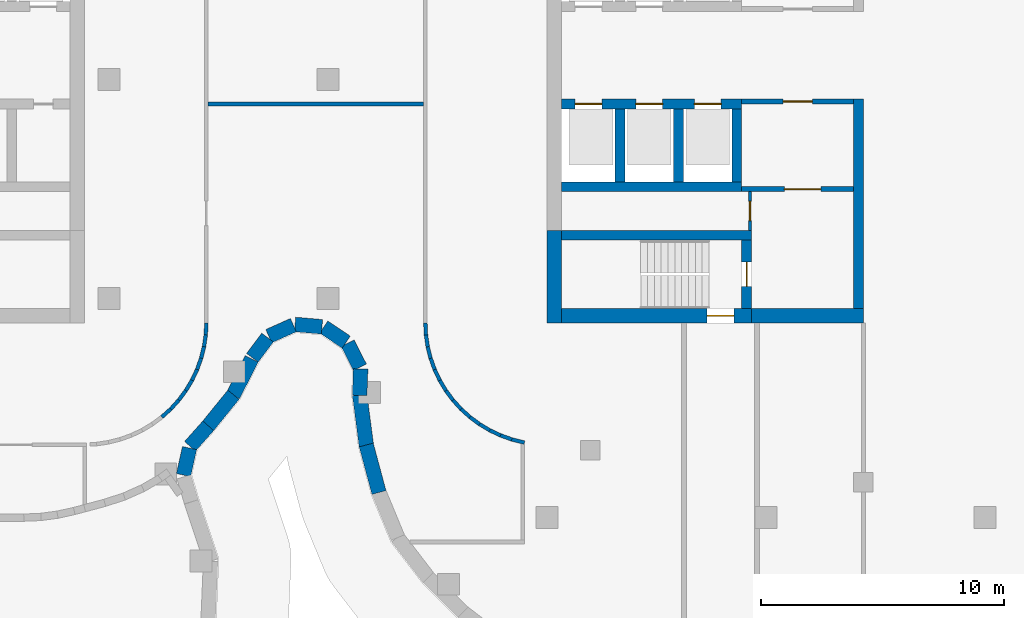
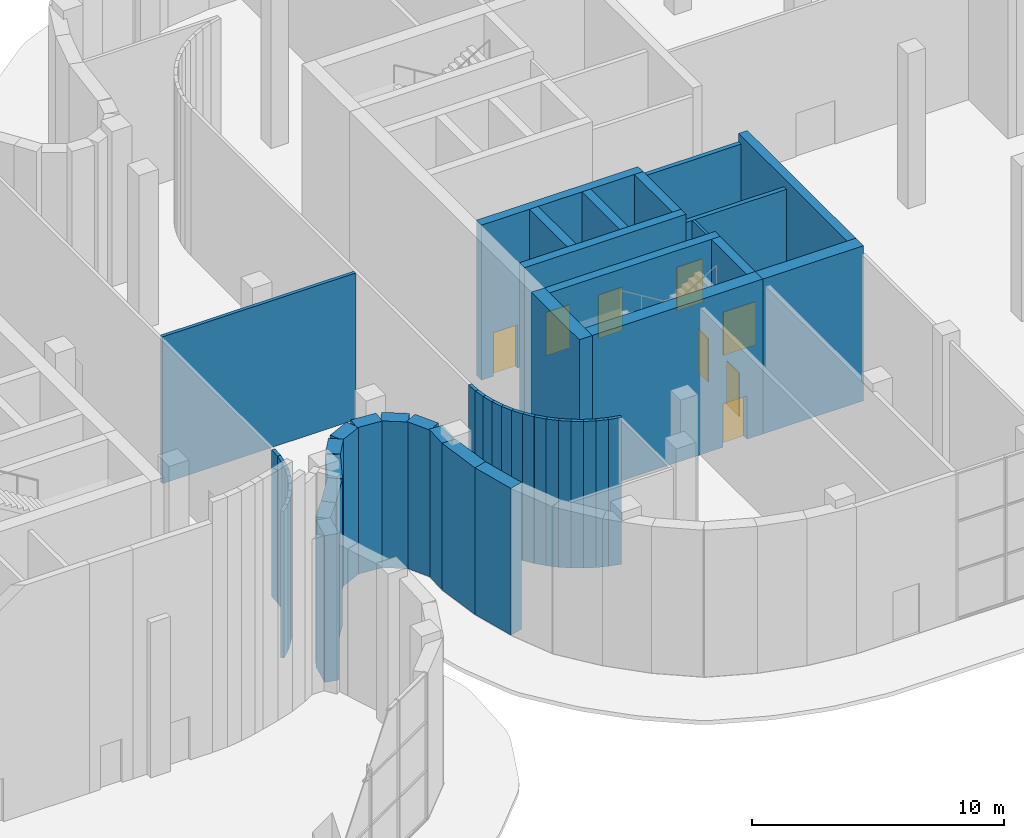
# One storey, part 19 of 30: 50 walls, 8 doors, 8 openings.
"""IFC4 building model written with IfcOpenShell, lengths in metres."""

from ifc_helpers import new_model, si_unit, direction, frame, frame_2d, origin, place, context, subcontext, project, spatial, rectangle, extrude, material, layer, layer_set, type_object, element, fill, save


model = new_model("IFC4")

# Units and contexts
model_context = context("Model", 3, precision=1e-05, world=origin(), true_north=direction((0.0, 1.0)))
body_context = subcontext(model_context, "Body", "Model", "MODEL_VIEW")
ifc_project = project(units=[si_unit("LENGTHUNIT", "METRE"), si_unit("AREAUNIT", "SQUARE_METRE"), si_unit("VOLUMEUNIT", "CUBIC_METRE"), si_unit("PLANEANGLEUNIT", "RADIAN"), si_unit("MASSUNIT", "GRAM", prefix="KILO")], contexts=[model_context])

# Site, building, storey
site_placement = place(None, origin())
site = spatial("IfcSite", under=ifc_project, at=site_placement, CompositionType="ELEMENT")
building_placement = place(site_placement, origin())
building = spatial("IfcBuilding", under=site, at=building_placement, Name="Skarvind Civic Tower", CompositionType="ELEMENT")
storey_placement = place(building_placement, origin())
storey = spatial("IfcBuildingStorey", under=building, at=storey_placement, Name="L00", CompositionType="ELEMENT", Elevation=0.0)

# Wall, opening, door
ifc_material_1 = material(Name="Fire-rated masonry partition", Category="masonry")
ifc_layer_1 = layer(ifc_material_1, 0.199951171875)
ifc_layer_set_1 = layer_set([ifc_layer_1], Name="Core enclosure wall 200")
wall_type_1 = type_object("IfcWallType", Name="Core enclosure wall 200", PredefinedType="PARTITIONING", material=ifc_layer_set_1)
wall_1_placement = place(storey_placement, frame((139.60009765625, 126.10009765625, 0.0), z_axis=(0.0, 0.0, 1.0), x_axis=(-1.0, 0.0, 0.0)))
wall_1 = element("IfcWall", 1, at=wall_1_placement, inside=storey, type_object=wall_type_1, Name="Core wall CA", PredefinedType="PARTITIONING", context=body_context, shape_type="SweptSolid", body=[
    extrude(rectangle(XDim=4.60009765625, YDim=0.199951171875, at=frame_2d((2.300048828125, 0.0))), origin(), (0.0, 0.0, 1.0), 7.10009765625),
])
opening_1_placement = place(wall_1_placement, frame((1.699951171875, 0.0, 0.0)))
opening_1 = element("IfcOpeningElement", 2, at=opening_1_placement, cuts=wall_1, Name="Opening D-L00-CA-10", PredefinedType="OPENING", context=body_context, shape_type="SweptSolid", body=[
    extrude(rectangle(XDim=1.199951171875, YDim=2.10009765625, at=frame_2d((0.60009765625, 1.050048828125))), frame((0.0, 0.10986328125, 0.0), z_axis=(0.0, -1.0, 0.0), x_axis=(1.0, 0.0, 0.0)), (0.0, 0.0, 1.0), 0.219970703125),
])
ifc_material_2 = material(Name="Fire-rated steel door", Category="steel")
door_type_1 = type_object("IfcDoorType", Name="Core lobby door 1200", OperationType="NOTDEFINED", PredefinedType="DOOR", material=ifc_material_2)
door_1_placement = place(opening_1_placement, origin())
door_1 = element("IfcDoor", 3, at=door_1_placement, inside=storey, type_object=door_type_1, Name="Fire door", OperationType="DOUBLE_DOOR_SINGLE_SWING", OverallHeight=2.10009765625, OverallWidth=1.199951171875, PredefinedType="DOOR", context=body_context, shape_type="SweptSolid", body=[
    extrude(rectangle(XDim=1.199951171875, YDim=2.10009765625, at=frame_2d((0.60009765625, 1.050048828125))), frame((0.0, 0.02490234375, 0.0), z_axis=(0.0, -1.0, 0.0), x_axis=(1.0, 0.0, 0.0)), (0.0, 0.0, 1.0), 0.050048828125),
])
fill(opening_1, door_1)

wall_2_placement = place(storey_placement, frame((139.60009765625, 122.5, 0.0), z_axis=(0.0, 0.0, 1.0), x_axis=(-1.0, 0.0, 0.0)))
wall_2 = element("IfcWall", 4, at=wall_2_placement, inside=storey, type_object=wall_type_1, Name="Core wall CA", PredefinedType="PARTITIONING", context=body_context, shape_type="SweptSolid", body=[
    extrude(rectangle(XDim=4.60009765625, YDim=0.199951171875, at=frame_2d((2.300048828125, 0.0))), origin(), (0.0, 0.0, 1.0), 7.10009765625),
])
opening_2_placement = place(wall_2_placement, frame((1.35009765625, 0.0, 0.0)))
opening_2 = element("IfcOpeningElement", 5, at=opening_2_placement, cuts=wall_2, Name="Opening D-L00-CA-11", PredefinedType="OPENING", context=body_context, shape_type="SweptSolid", body=[
    extrude(rectangle(XDim=1.5, YDim=2.10009765625, at=frame_2d((0.75, 1.050048828125))), frame((0.0, 0.10986328125, 0.0), z_axis=(0.0, -1.0, 0.0), x_axis=(1.0, 0.0, 0.0)), (0.0, 0.0, 1.0), 0.219970703125),
])
door_type_2 = type_object("IfcDoorType", Name="Fire door 1500", OperationType="NOTDEFINED", PredefinedType="DOOR", material=ifc_material_2)
door_2_placement = place(opening_2_placement, origin())
door_2 = element("IfcDoor", 6, at=door_2_placement, inside=storey, type_object=door_type_2, Name="Fire door", OperationType="DOUBLE_DOOR_SINGLE_SWING", OverallHeight=2.10009765625, OverallWidth=1.5, PredefinedType="DOOR", context=body_context, shape_type="SweptSolid", body=[
    extrude(rectangle(XDim=1.5, YDim=2.10009765625, at=frame_2d((0.75, 1.050048828125))), frame((0.0, 0.02490234375, 0.0), z_axis=(0.0, -1.0, 0.0), x_axis=(1.0, 0.0, 0.0)), (0.0, 0.0, 1.0), 0.050048828125),
])
fill(opening_2, door_2)

# Wall
ifc_material_3 = material(Name="Concrete C80", Category="concrete")
ifc_layer_2 = layer(ifc_material_3, 0.39990234375)
ifc_layer_set_2 = layer_set([ifc_layer_2], Name="Core wall 400 C80")
wall_type_2 = type_object("IfcWallType", Name="Core wall 400 C80", PredefinedType="SHEAR", material=ifc_layer_set_2)
wall_3_placement = place(storey_placement, frame((127.60009765625, 120.60009765625, 0.0), z_axis=(0.0, 0.0, 1.0), x_axis=(1.0, 0.0, 0.0)))
element("IfcWall", 7, at=wall_3_placement, inside=storey, type_object=wall_type_2, Name="Core wall CA south stair inner L00", PredefinedType="SHEAR", context=body_context, shape_type="SweptSolid", body=[
    extrude(rectangle(XDim=7.7998046875, YDim=0.39990234375, at=frame_2d((3.89990234375, 0.0))), origin(), (0.0, 0.0, 1.0), 7.5),
])

# Wall, opening, door
wall_4_placement = place(storey_placement, frame((135.199951171875, 117.60009765625, 0.0), z_axis=(0.0, 0.0, 1.0), x_axis=(0.0, 1.0, 0.0)))
wall_4 = element("IfcWall", 8, at=wall_4_placement, inside=storey, type_object=wall_type_2, Name="Core wall CA south stair end L00", PredefinedType="SHEAR", context=body_context, shape_type="SweptSolid", body=[
    extrude(rectangle(XDim=2.7998046875, YDim=0.39990234375, at=frame_2d((1.39990234375, 0.0))), origin(), (0.0, 0.0, 1.0), 7.5),
])
opening_3_placement = place(wall_4_placement, frame((0.89990234375, 0.0, 0.0)))
opening_3 = element("IfcOpeningElement", 9, at=opening_3_placement, cuts=wall_4, Name="Opening D-L00-CA-12", PredefinedType="OPENING", context=body_context, shape_type="SweptSolid", body=[
    extrude(rectangle(XDim=1.0, YDim=2.10009765625, at=frame_2d((0.5, 1.050048828125))), frame((0.0, 0.2099609375, 0.0), z_axis=(0.0, -1.0, 0.0), x_axis=(1.0, 0.0, 0.0)), (0.0, 0.0, 1.0), 0.419921875),
])
door_type_3 = type_object("IfcDoorType", Name="Fire door 1000", OperationType="NOTDEFINED", PredefinedType="DOOR", material=ifc_material_2)
door_3_placement = place(opening_3_placement, origin())
door_3 = element("IfcDoor", 10, at=door_3_placement, inside=storey, type_object=door_type_3, Name="Fire door", OperationType="SINGLE_SWING_RIGHT", OverallHeight=2.10009765625, OverallWidth=1.0, PredefinedType="DOOR", context=body_context, shape_type="SweptSolid", body=[
    extrude(rectangle(XDim=1.0, YDim=2.10009765625, at=frame_2d((0.5, 1.050048828125))), frame((0.0, 0.02490234375, 0.0), z_axis=(0.0, -1.0, 0.0), x_axis=(1.0, 0.0, 0.0)), (0.0, 0.0, 1.0), 0.050048828125),
])
fill(opening_3, door_3)

# Wall, openings, doors
wall_5_placement = place(storey_placement, frame((127.60009765625, 126.0, 0.0), z_axis=(0.0, 0.0, 1.0), x_axis=(1.0, 0.0, 0.0)))
wall_5 = element("IfcWall", 11, at=wall_5_placement, inside=storey, type_object=wall_type_2, Name="Core wall CA south lift row front L00", PredefinedType="SHEAR", context=body_context, shape_type="SweptSolid", body=[
    extrude(rectangle(XDim=7.39990234375, YDim=0.39990234375, at=frame_2d((3.699951171875, 0.0))), origin(), (0.0, 0.0, 1.0), 7.5),
])
opening_4_placement = place(wall_5_placement, frame((0.550048828125, 0.0, 0.0)))
opening_4 = element("IfcOpeningElement", 12, at=opening_4_placement, cuts=wall_5, Name="Opening LD02304", PredefinedType="OPENING", context=body_context, shape_type="SweptSolid", body=[
    extrude(rectangle(XDim=1.10009765625, YDim=2.10009765625, at=frame_2d((0.550048828125, 1.050048828125))), frame((0.0, 0.2099609375, 0.0), z_axis=(0.0, -1.0, 0.0), x_axis=(1.0, 0.0, 0.0)), (0.0, 0.0, 1.0), 0.419921875),
])
opening_5_placement = place(wall_5_placement, frame((3.050048828125, 0.0, 0.0)))
opening_5 = element("IfcOpeningElement", 13, at=opening_5_placement, cuts=wall_5, Name="Opening LD02305", PredefinedType="OPENING", context=body_context, shape_type="SweptSolid", body=[
    extrude(rectangle(XDim=1.10009765625, YDim=2.10009765625, at=frame_2d((0.550048828125, 1.050048828125))), frame((0.0, 0.2099609375, 0.0), z_axis=(0.0, -1.0, 0.0), x_axis=(1.0, 0.0, 0.0)), (0.0, 0.0, 1.0), 0.419921875),
])
opening_6_placement = place(wall_5_placement, frame((5.449951171875, 0.0, 0.0)))
opening_6 = element("IfcOpeningElement", 14, at=opening_6_placement, cuts=wall_5, Name="Opening LD02306", PredefinedType="OPENING", context=body_context, shape_type="SweptSolid", body=[
    extrude(rectangle(XDim=1.10009765625, YDim=2.10009765625, at=frame_2d((0.550048828125, 1.050048828125))), frame((0.0, 0.2099609375, 0.0), z_axis=(0.0, -1.0, 0.0), x_axis=(1.0, 0.0, 0.0)), (0.0, 0.0, 1.0), 0.419921875),
])
ifc_material_4 = material(Name="Stainless steel landing door", Category="steel")
door_type_4 = type_object("IfcDoorType", Name="Lift landing door 1100", OperationType="DOUBLE_DOOR_SLIDING", PredefinedType="DOOR", material=ifc_material_4)
door_4_placement = place(opening_4_placement, origin())
door_4 = element("IfcDoor", 15, at=door_4_placement, inside=storey, type_object=door_type_4, Name="Lift landing door", OperationType="DOUBLE_DOOR_SLIDING", OverallHeight=2.10009765625, OverallWidth=1.10009765625, PredefinedType="DOOR", context=body_context, shape_type="SweptSolid", body=[
    extrude(rectangle(XDim=1.10009765625, YDim=2.10009765625, at=frame_2d((0.550048828125, 1.050048828125))), frame((0.0, 0.02490234375, 0.0), z_axis=(0.0, -1.0, 0.0), x_axis=(1.0, 0.0, 0.0)), (0.0, 0.0, 1.0), 0.050048828125),
])
fill(opening_4, door_4)
door_5_placement = place(opening_5_placement, origin())
door_5 = element("IfcDoor", 16, at=door_5_placement, inside=storey, type_object=door_type_4, Name="Lift landing door", OperationType="DOUBLE_DOOR_SLIDING", OverallHeight=2.10009765625, OverallWidth=1.10009765625, PredefinedType="DOOR", context=body_context, shape_type="SweptSolid", body=[
    extrude(rectangle(XDim=1.10009765625, YDim=2.10009765625, at=frame_2d((0.550048828125, 1.050048828125))), frame((0.0, 0.02490234375, 0.0), z_axis=(0.0, -1.0, 0.0), x_axis=(1.0, 0.0, 0.0)), (0.0, 0.0, 1.0), 0.050048828125),
])
fill(opening_5, door_5)
door_6_placement = place(opening_6_placement, origin())
door_6 = element("IfcDoor", 17, at=door_6_placement, inside=storey, type_object=door_type_4, Name="Lift landing door", OperationType="DOUBLE_DOOR_SLIDING", OverallHeight=2.10009765625, OverallWidth=1.10009765625, PredefinedType="DOOR", context=body_context, shape_type="SweptSolid", body=[
    extrude(rectangle(XDim=1.10009765625, YDim=2.10009765625, at=frame_2d((0.550048828125, 1.050048828125))), frame((0.0, 0.02490234375, 0.0), z_axis=(0.0, -1.0, 0.0), x_axis=(1.0, 0.0, 0.0)), (0.0, 0.0, 1.0), 0.050048828125),
])
fill(opening_6, door_6)

# Walls
wall_6_placement = place(storey_placement, frame((127.60009765625, 122.60009765625, 0.0), z_axis=(0.0, 0.0, 1.0), x_axis=(1.0, 0.0, 0.0)))
element("IfcWall", 18, at=wall_6_placement, inside=storey, type_object=wall_type_2, Name="Core wall CA south lift row back L00", PredefinedType="SHEAR", context=body_context, shape_type="SweptSolid", body=[
    extrude(rectangle(XDim=7.39990234375, YDim=0.39990234375, at=frame_2d((3.699951171875, 0.0))), origin(), (0.0, 0.0, 1.0), 7.5),
])
for number, where, z_axis, x_axis, name in (
    (19, (130.0, 122.800048828125, 0.0), (0.0, 0.0, 1.0), (0.0, 1.0, 0.0), "Core wall CA south lift row division 1 L00"),
    (20, (132.39990234375, 122.800048828125, 0.0), (0.0, 0.0, 1.0), (0.0, 1.0, 0.0), "Core wall CA south lift row division 2 L00"),
    (21, (134.800048828125, 122.800048828125, 0.0), (0.0, 0.0, 1.0), (0.0, 1.0, 0.0), "Core wall CA south lift row division 3 L00"),
):
    element("IfcWall", number, at=place(storey_placement, frame(where, z_axis=z_axis, x_axis=x_axis)), inside=storey, type_object=wall_type_2, Name=name, PredefinedType="SHEAR", context=body_context, shape_type="SweptSolid", body=[
        extrude(rectangle(XDim=3.0, YDim=0.39990234375, at=frame_2d((1.5, 0.0))), origin(), (0.0, 0.0, 1.0), 7.5),
    ])
wall_7_placement = place(storey_placement, frame((139.800048828125, 117.60009765625, 0.0), z_axis=(0.0, 0.0, 1.0), x_axis=(0.0, 1.0, 0.0)))
element("IfcWall", 22, at=wall_7_placement, inside=storey, type_object=wall_type_2, Name="Core wall CA south inner face L00", PredefinedType="SHEAR", context=body_context, shape_type="SweptSolid", body=[
    extrude(rectangle(XDim=8.599853515625, YDim=0.39990234375, at=frame_2d((4.2998046875, 0.0))), origin(), (0.0, 0.0, 1.0), 7.5),
])
ifc_layer_3 = layer(ifc_material_3, 0.60009765625)
ifc_layer_set_3 = layer_set([ifc_layer_3], Name="Core wall 600 C80")
wall_type_3 = type_object("IfcWallType", Name="Core wall 600 C80", PredefinedType="SHEAR", material=ifc_layer_set_3)
wall_8_placement = place(storey_placement, frame((127.300048828125, 117.0, 0.0), z_axis=(0.0, 0.0, 1.0), x_axis=(0.0, 1.0, 0.0)))
element("IfcWall", 23, at=wall_8_placement, inside=storey, type_object=wall_type_3, Name="Core wall CA tip at the south stair L00", PredefinedType="SHEAR", context=body_context, shape_type="SweptSolid", body=[
    extrude(rectangle(XDim=3.800048828125, YDim=0.60009765625, at=frame_2d((1.89990234375, 0.0))), origin(), (0.0, 0.0, 1.0), 7.5),
])

# Wall, opening, door
wall_9_placement = place(storey_placement, frame((127.60009765625, 117.300048828125, 0.0), z_axis=(0.0, 0.0, 1.0), x_axis=(1.0, 0.0, 0.0)))
wall_9 = element("IfcWall", 24, at=wall_9_placement, inside=storey, type_object=wall_type_3, Name="Core wall CA south side at the stair L00", PredefinedType="SHEAR", context=body_context, shape_type="SweptSolid", body=[
    extrude(rectangle(XDim=7.7998046875, YDim=0.60009765625, at=frame_2d((3.89990234375, 0.0))), origin(), (0.0, 0.0, 1.0), 7.5),
])
opening_7_placement = place(wall_9_placement, frame((5.97509765625, 0.0, 0.0)))
opening_7 = element("IfcOpeningElement", 25, at=opening_7_placement, cuts=wall_9, Name="Opening D-L00-CA-15", PredefinedType="OPENING", context=body_context, shape_type="SweptSolid", body=[
    extrude(rectangle(XDim=1.10009765625, YDim=2.10009765625, at=frame_2d((0.550048828125, 1.050048828125))), frame((0.0, 0.31005859375, 0.0), z_axis=(0.0, -1.0, 0.0), x_axis=(1.0, 0.0, 0.0)), (0.0, 0.0, 1.0), 0.6201171875),
])
door_type_5 = type_object("IfcDoorType", Name="Fire door 1100", OperationType="NOTDEFINED", PredefinedType="DOOR", material=ifc_material_2)
door_7_placement = place(opening_7_placement, origin())
door_7 = element("IfcDoor", 26, at=door_7_placement, inside=storey, type_object=door_type_5, Name="Stair exit door", OperationType="SINGLE_SWING_LEFT", OverallHeight=2.10009765625, OverallWidth=1.10009765625, PredefinedType="DOOR", context=body_context, shape_type="SweptSolid", body=[
    extrude(rectangle(XDim=1.10009765625, YDim=2.10009765625, at=frame_2d((0.550048828125, 1.050048828125))), frame((0.0, 0.02490234375, 0.0), z_axis=(0.0, -1.0, 0.0), x_axis=(1.0, 0.0, 0.0)), (0.0, 0.0, 1.0), 0.050048828125),
])
fill(opening_7, door_7)

# Walls
wall_10_placement = place(storey_placement, frame((135.39990234375, 117.300048828125, 0.0), z_axis=(0.0, 0.0, 1.0), x_axis=(1.0, 0.0, 0.0)))
element("IfcWall", 27, at=wall_10_placement, inside=storey, type_object=wall_type_3, Name="Core wall CA south side L00", PredefinedType="SHEAR", context=body_context, shape_type="SweptSolid", body=[
    extrude(rectangle(XDim=4.60009765625, YDim=0.60009765625, at=frame_2d((2.300048828125, 0.0))), origin(), (0.0, 0.0, 1.0), 7.5),
])
ifc_material_5 = material(Name="Plasterboard partition on steel studs", Category="steel")
ifc_layer_4 = layer(ifc_material_5, 0.14990234375)
ifc_layer_set_4 = layer_set([ifc_layer_4], Name="PARTITION 150")
wall_type_4 = type_object("IfcWallType", Name="PARTITION 150", PredefinedType="PARTITIONING", material=ifc_layer_set_4)
for number, where, z_axis, x_axis, name in (
    (28, (111.1689453125, 113.133056640625, 0.0), (0.0, 0.0, 1.0), (0.742416880587, 0.66993818776, 0.0), "Podium partition L00 149"),
    (29, (111.532958984375, 113.4609375, 0.0), (0.0, 0.0, 1.0), (0.66993818776, 0.742416880587, 0.0), "Podium partition L00 152"),
):
    element("IfcWall", number, at=place(storey_placement, frame(where, z_axis=z_axis, x_axis=x_axis)), inside=storey, type_object=wall_type_4, Name=name, PredefinedType="PARTITIONING", context=body_context, shape_type="SweptSolid", body=[
        extrude(rectangle(XDim=0.49853515625, YDim=0.14990234375, at=frame_2d((0.249267578125, 0.0))), origin(), (0.0, 0.0, 1.0), 7.10009765625),
    ])
wall_11_placement = place(storey_placement, frame((111.863037109375, 113.824951171875, 0.0), z_axis=(0.0, 0.0, 1.0), x_axis=(0.594570362092, 0.80404358372, 0.0)))
element("IfcWall", 30, at=wall_11_placement, inside=storey, type_object=wall_type_4, Name="Podium partition L00 154", PredefinedType="PARTITIONING", context=body_context, shape_type="SweptSolid", body=[
    extrude(rectangle(XDim=0.49755859375, YDim=0.14990234375, at=frame_2d((0.248779296875, 0.0))), origin(), (0.0, 0.0, 1.0), 7.10009765625),
])
wall_12_placement = place(storey_placement, frame((112.155029296875, 114.218994140625, 0.0), z_axis=(0.0, 0.0, 1.0), x_axis=(0.515791778052, 0.85671397893, 0.0)))
element("IfcWall", 31, at=wall_12_placement, inside=storey, type_object=wall_type_4, Name="Podium partition L00 156", PredefinedType="PARTITIONING", context=body_context, shape_type="SweptSolid", body=[
    extrude(rectangle(XDim=0.49853515625, YDim=0.14990234375, at=frame_2d((0.249267578125, 0.0))), origin(), (0.0, 0.0, 1.0), 7.10009765625),
])
for number, where, z_axis, x_axis, name in (
    (32, (112.407958984375, 114.639892578125, 0.0), (0.0, 0.0, 1.0), (0.427896709028, 0.903827641978, 0.0), "Podium partition L00 158"),
    (33, (112.617919921875, 115.083984375, 0.0), (0.0, 0.0, 1.0), (0.3371744988, 0.941442168887, 0.0), "Podium partition L00 160"),
):
    element("IfcWall", number, at=place(storey_placement, frame(where, z_axis=z_axis, x_axis=x_axis)), inside=storey, type_object=wall_type_4, Name=name, PredefinedType="PARTITIONING", context=body_context, shape_type="SweptSolid", body=[
        extrude(rectangle(XDim=0.498046875, YDim=0.14990234375, at=frame_2d((0.2490234375, 0.0))), origin(), (0.0, 0.0, 1.0), 7.10009765625),
    ])
wall_13_placement = place(storey_placement, frame((112.783935546875, 115.544921875, 0.0), z_axis=(0.0, 0.0, 1.0), x_axis=(0.242650732785, 0.970113715952, 0.0)))
element("IfcWall", 34, at=wall_13_placement, inside=storey, type_object=wall_type_4, Name="Podium partition L00 162", PredefinedType="PARTITIONING", context=body_context, shape_type="SweptSolid", body=[
    extrude(rectangle(XDim=0.4990234375, YDim=0.14990234375, at=frame_2d((0.24951171875, 0.0))), origin(), (0.0, 0.0, 1.0), 7.10009765625),
])
wall_14_placement = place(storey_placement, frame((112.903076171875, 116.02099609375, 0.0), z_axis=(0.0, 0.0, 1.0), x_axis=(0.148412307247, 0.988925572052, 0.0)))
element("IfcWall", 35, at=wall_14_placement, inside=storey, type_object=wall_type_4, Name="Podium partition L00 164", PredefinedType="PARTITIONING", context=body_context, shape_type="SweptSolid", body=[
    extrude(rectangle(XDim=0.49853515625, YDim=0.14990234375, at=frame_2d((0.249267578125, 0.0))), origin(), (0.0, 0.0, 1.0), 7.10009765625),
])
wall_15_placement = place(storey_placement, frame((112.97607421875, 116.506103515625, 0.0), z_axis=(0.0, 0.0, 1.0), x_axis=(0.048196018647, 0.998837896651, 0.0)))
element("IfcWall", 36, at=wall_15_placement, inside=storey, type_object=wall_type_4, Name="Podium partition L00 166", PredefinedType="PARTITIONING", context=body_context, shape_type="SweptSolid", body=[
    extrude(rectangle(XDim=0.496337890625, YDim=0.14990234375, at=frame_2d((0.248046875, 0.0))), origin(), (0.0, 0.0, 1.0), 7.10009765625),
])
wall_16_placement = place(storey_placement, frame((113.074951171875, 126.0, 0.0), z_axis=(0.0, 0.0, 1.0), x_axis=(1.0, 0.0, 0.0)))
element("IfcWall", 37, at=wall_16_placement, inside=storey, type_object=wall_type_4, Name="Podium partition L00 169", PredefinedType="PARTITIONING", context=body_context, shape_type="SweptSolid", body=[
    extrude(rectangle(XDim=8.85009765625, YDim=0.14990234375, at=frame_2d((4.425048828125, 0.0))), origin(), (0.0, 0.0, 1.0), 7.10009765625),
])
wall_17_placement = place(storey_placement, frame((122.0, 117.001953125, 0.0), z_axis=(0.0, 0.0, 1.0), x_axis=(0.048196018647, -0.998837896651, 0.0)))
element("IfcWall", 38, at=wall_17_placement, inside=storey, type_object=wall_type_4, Name="Podium partition L00 173", PredefinedType="PARTITIONING", context=body_context, shape_type="SweptSolid", body=[
    extrude(rectangle(XDim=0.496337890625, YDim=0.14990234375, at=frame_2d((0.248046875, 0.0))), origin(), (0.0, 0.0, 1.0), 7.10009765625),
])
wall_18_placement = place(storey_placement, frame((122.02294921875, 116.513916015625, 0.0), z_axis=(0.0, 0.0, 1.0), x_axis=(0.148412307247, -0.988925572052, 0.0)))
element("IfcWall", 39, at=wall_18_placement, inside=storey, type_object=wall_type_4, Name="Podium partition L00 175", PredefinedType="PARTITIONING", context=body_context, shape_type="SweptSolid", body=[
    extrude(rectangle(XDim=0.49853515625, YDim=0.14990234375, at=frame_2d((0.249267578125, 0.0))), origin(), (0.0, 0.0, 1.0), 7.10009765625),
])
wall_19_placement = place(storey_placement, frame((122.094970703125, 116.029052734375, 0.0), z_axis=(0.0, 0.0, 1.0), x_axis=(0.242650732785, -0.970113715952, 0.0)))
element("IfcWall", 40, at=wall_19_placement, inside=storey, type_object=wall_type_4, Name="Podium partition L00 177", PredefinedType="PARTITIONING", context=body_context, shape_type="SweptSolid", body=[
    extrude(rectangle(XDim=0.4990234375, YDim=0.14990234375, at=frame_2d((0.24951171875, 0.0))), origin(), (0.0, 0.0, 1.0), 7.10009765625),
])
for number, where, z_axis, x_axis, name in (
    (41, (122.214111328125, 115.552978515625, 0.0), (0.0, 0.0, 1.0), (0.3371744988, -0.941442168887, 0.0), "Podium partition L00 179"),
    (42, (122.37890625, 115.090087890625, 0.0), (0.0, 0.0, 1.0), (0.427896709028, -0.903827641978, 0.0), "Podium partition L00 181"),
):
    element("IfcWall", number, at=place(storey_placement, frame(where, z_axis=z_axis, x_axis=x_axis)), inside=storey, type_object=wall_type_4, Name=name, PredefinedType="PARTITIONING", context=body_context, shape_type="SweptSolid", body=[
        extrude(rectangle(XDim=0.498046875, YDim=0.14990234375, at=frame_2d((0.2490234375, 0.0))), origin(), (0.0, 0.0, 1.0), 7.10009765625),
    ])
wall_20_placement = place(storey_placement, frame((122.587890625, 114.64599609375, 0.0), z_axis=(0.0, 0.0, 1.0), x_axis=(0.515791778052, -0.85671397893, 0.0)))
element("IfcWall", 43, at=wall_20_placement, inside=storey, type_object=wall_type_4, Name="Podium partition L00 183", PredefinedType="PARTITIONING", context=body_context, shape_type="SweptSolid", body=[
    extrude(rectangle(XDim=0.49853515625, YDim=0.14990234375, at=frame_2d((0.249267578125, 0.0))), origin(), (0.0, 0.0, 1.0), 7.10009765625),
])
wall_21_placement = place(storey_placement, frame((122.841064453125, 114.22509765625, 0.0), z_axis=(0.0, 0.0, 1.0), x_axis=(0.594570362092, -0.80404358372, 0.0)))
element("IfcWall", 44, at=wall_21_placement, inside=storey, type_object=wall_type_4, Name="Podium partition L00 185", PredefinedType="PARTITIONING", context=body_context, shape_type="SweptSolid", body=[
    extrude(rectangle(XDim=0.49755859375, YDim=0.14990234375, at=frame_2d((0.248779296875, 0.0))), origin(), (0.0, 0.0, 1.0), 7.10009765625),
])
for number, where, z_axis, x_axis, name in (
    (45, (123.133056640625, 113.8310546875, 0.0), (0.0, 0.0, 1.0), (0.66993818776, -0.742416880587, 0.0), "Podium partition L00 187"),
    (46, (123.4609375, 113.467041015625, 0.0), (0.0, 0.0, 1.0), (0.742416880587, -0.66993818776, 0.0), "Podium partition L00 189"),
):
    element("IfcWall", number, at=place(storey_placement, frame(where, z_axis=z_axis, x_axis=x_axis)), inside=storey, type_object=wall_type_4, Name=name, PredefinedType="PARTITIONING", context=body_context, shape_type="SweptSolid", body=[
        extrude(rectangle(XDim=0.49853515625, YDim=0.14990234375, at=frame_2d((0.249267578125, 0.0))), origin(), (0.0, 0.0, 1.0), 7.10009765625),
    ])
wall_22_placement = place(storey_placement, frame((123.824951171875, 113.136962890625, 0.0), z_axis=(0.0, 0.0, 1.0), x_axis=(0.80404358372, -0.594570362092, 0.0)))
element("IfcWall", 47, at=wall_22_placement, inside=storey, type_object=wall_type_4, Name="Podium partition L00 191", PredefinedType="PARTITIONING", context=body_context, shape_type="SweptSolid", body=[
    extrude(rectangle(XDim=0.49755859375, YDim=0.14990234375, at=frame_2d((0.248779296875, 0.0))), origin(), (0.0, 0.0, 1.0), 7.10009765625),
])
wall_23_placement = place(storey_placement, frame((124.218994140625, 112.844970703125, 0.0), z_axis=(0.0, 0.0, 1.0), x_axis=(0.85671397893, -0.515791778052, 0.0)))
element("IfcWall", 48, at=wall_23_placement, inside=storey, type_object=wall_type_4, Name="Podium partition L00 193", PredefinedType="PARTITIONING", context=body_context, shape_type="SweptSolid", body=[
    extrude(rectangle(XDim=0.49853515625, YDim=0.14990234375, at=frame_2d((0.249267578125, 0.0))), origin(), (0.0, 0.0, 1.0), 7.10009765625),
])
for number, where, z_axis, x_axis, name in (
    (49, (124.639892578125, 112.592041015625, 0.0), (0.0, 0.0, 1.0), (0.903827641978, -0.427896709028, 0.0), "Podium partition L00 195"),
    (50, (125.083984375, 112.382080078125, 0.0), (0.0, 0.0, 1.0), (0.941442168887, -0.3371744988, 0.0), "Podium partition L00 197"),
):
    element("IfcWall", number, at=place(storey_placement, frame(where, z_axis=z_axis, x_axis=x_axis)), inside=storey, type_object=wall_type_4, Name=name, PredefinedType="PARTITIONING", context=body_context, shape_type="SweptSolid", body=[
        extrude(rectangle(XDim=0.498046875, YDim=0.14990234375, at=frame_2d((0.2490234375, 0.0))), origin(), (0.0, 0.0, 1.0), 7.10009765625),
    ])
wall_24_placement = place(storey_placement, frame((125.544921875, 112.216064453125, 0.0), z_axis=(0.0, 0.0, 1.0), x_axis=(0.970116111764, -0.242641154168, 0.0)))
element("IfcWall", 51, at=wall_24_placement, inside=storey, type_object=wall_type_4, Name="Podium partition L00 199", PredefinedType="PARTITIONING", context=body_context, shape_type="SweptSolid", body=[
    extrude(rectangle(XDim=0.54443359375, YDim=0.14990234375, at=frame_2d((0.272216796875, 0.0))), origin(), (0.0, 0.0, 1.0), 7.10009765625),
])

# Wall, opening, door
ifc_layer_5 = layer(ifc_material_1, 0.125)
ifc_layer_set_5 = layer_set([ifc_layer_5], Name="Riser wall 125")
wall_type_5 = type_object("IfcWallType", Name="Riser wall 125", PredefinedType="PARTITIONING", material=ifc_layer_set_5)
wall_25_placement = place(storey_placement, frame((135.33740234375, 122.39990234375, 0.0), z_axis=(0.0, 0.0, 1.0), x_axis=(0.0, -1.0, 0.0)))
wall_25 = element("IfcWall", 52, at=wall_25_placement, inside=storey, type_object=wall_type_5, Name="Core wall CA", PredefinedType="PARTITIONING", context=body_context, shape_type="SweptSolid", body=[
    extrude(rectangle(XDim=1.599853515625, YDim=0.125, at=frame_2d((0.7998046875, 0.0))), origin(), (0.0, 0.0, 1.0), 7.10009765625),
])
opening_8_placement = place(wall_25_placement, frame((0.39990234375, 0.0, 0.0)))
opening_8 = element("IfcOpeningElement", 53, at=opening_8_placement, cuts=wall_25, Name="Opening D-L00-CA-13", PredefinedType="OPENING", context=body_context, shape_type="SweptSolid", body=[
    extrude(rectangle(XDim=0.800048828125, YDim=2.10009765625, at=frame_2d((0.39990234375, 1.050048828125))), frame((0.0, 0.072509765625, 0.0), z_axis=(0.0, -1.0, 0.0), x_axis=(1.0, 0.0, 0.0)), (0.0, 0.0, 1.0), 0.14501953125),
])
door_type_6 = type_object("IfcDoorType", Name="Core riser door 800", OperationType="NOTDEFINED", PredefinedType="DOOR", material=ifc_material_2)
door_8_placement = place(opening_8_placement, origin())
door_8 = element("IfcDoor", 54, at=door_8_placement, inside=storey, type_object=door_type_6, Name="Riser door", OperationType="SINGLE_SWING_LEFT", OverallHeight=2.10009765625, OverallWidth=0.800048828125, PredefinedType="DOOR", context=body_context, shape_type="SweptSolid", body=[
    extrude(rectangle(XDim=0.800048828125, YDim=2.10009765625, at=frame_2d((0.39990234375, 1.050048828125))), frame((0.0, 0.02490234375, 0.0), z_axis=(0.0, -1.0, 0.0), x_axis=(1.0, 0.0, 0.0)), (0.0, 0.0, 1.0), 0.050048828125),
])
fill(opening_8, door_8)

# Walls
ifc_material_6 = material(Name="Limestone masonry cladding on insulated backing", Category="masonry")
ifc_layer_6 = layer(ifc_material_6, 0.60009765625)
ifc_layer_set_6 = layer_set([ifc_layer_6], Name="WX1 STONE FACADE WALL 600")
wall_type_6 = type_object("IfcWallType", Name="WX1 STONE FACADE WALL 600", PredefinedType="SOLIDWALL", material=ifc_layer_set_6)
wall_26_placement = place(storey_placement, frame((112.309814453125, 111.859130859375, 0.0), z_axis=(0.0, 0.0, 1.0), x_axis=(-0.216998636299, -0.976171906912, 0.0)))
element("IfcWall", 55, at=wall_26_placement, inside=storey, type_object=wall_type_6, Name="STONE FACADE WALL", PredefinedType="SOLIDWALL", context=body_context, shape_type="SweptSolid", body=[
    extrude(rectangle(XDim=1.137451171875, YDim=0.60009765625, at=frame_2d((0.56884765625, 0.0))), origin(), (0.0, 0.0, 1.0), 7.10009765625),
])
wall_27_placement = place(storey_placement, frame((113.0791015625, 112.77392578125, 0.0), z_axis=(0.0, 0.0, 1.0), x_axis=(-0.664538540083, -0.747253992123, 0.0)))
element("IfcWall", 56, at=wall_27_placement, inside=storey, type_object=wall_type_6, Name="STONE FACADE WALL", PredefinedType="SOLIDWALL", context=body_context, shape_type="SweptSolid", body=[
    extrude(rectangle(XDim=1.12744140625, YDim=0.60009765625, at=frame_2d((0.563720703125, 0.0))), origin(), (0.0, 0.0, 1.0), 7.10009765625),
])
wall_28_placement = place(storey_placement, frame((114.114501953125, 114.05078125, 0.0), z_axis=(0.0, 0.0, 1.0), x_axis=(-0.630015715698, -0.77658238325, 0.0)))
element("IfcWall", 57, at=wall_28_placement, inside=storey, type_object=wall_type_6, Name="STONE FACADE WALL", PredefinedType="SOLIDWALL", context=body_context, shape_type="SweptSolid", body=[
    extrude(rectangle(XDim=1.657470703125, YDim=0.60009765625, at=frame_2d((0.82861328125, 0.0))), origin(), (0.0, 0.0, 1.0), 7.10009765625),
])
wall_29_placement = place(storey_placement, frame((114.865478515625, 115.524658203125, 0.0), z_axis=(0.0, 0.0, 1.0), x_axis=(-0.454203210797, -0.890898110505, 0.0)))
element("IfcWall", 58, at=wall_29_placement, inside=storey, type_object=wall_type_6, Name="STONE FACADE WALL", PredefinedType="SOLIDWALL", context=body_context, shape_type="SweptSolid", body=[
    extrude(rectangle(XDim=1.687255859375, YDim=0.60009765625, at=frame_2d((0.84375, 0.0))), origin(), (0.0, 0.0, 1.0), 7.10009765625),
])
wall_30_placement = place(storey_placement, frame((115.5166015625, 116.39990234375, 0.0), z_axis=(0.0, 0.0, 1.0), x_axis=(-0.60018790921, -0.799859033604, 0.0)))
element("IfcWall", 59, at=wall_30_placement, inside=storey, type_object=wall_type_6, Name="STONE FACADE WALL", PredefinedType="SOLIDWALL", context=body_context, shape_type="SweptSolid", body=[
    extrude(rectangle(XDim=1.039306640625, YDim=0.60009765625, at=frame_2d((0.51953125, 0.0))), origin(), (0.0, 0.0, 1.0), 7.10009765625),
])
for number, where, z_axis, x_axis, name in (
    (60, (116.5771484375, 116.91015625, 0.0), (0.0, 0.0, 1.0), (-0.912911040257, -0.408158587533, 0.0), "STONE FACADE WALL"),
    (61, (117.751953125, 116.841552734375, 0.0), (0.0, 0.0, 1.0), (-0.996273540208, 0.086249829453, 0.0), "STONE FACADE WALL"),
):
    element("IfcWall", number, at=place(storey_placement, frame(where, z_axis=z_axis, x_axis=x_axis)), inside=storey, type_object=wall_type_6, Name=name, PredefinedType="SOLIDWALL", context=body_context, shape_type="SweptSolid", body=[
        extrude(rectangle(XDim=1.109619140625, YDim=0.60009765625, at=frame_2d((0.5546875, 0.0))), origin(), (0.0, 0.0, 1.0), 7.10009765625),
    ])
for number, where, z_axis, x_axis, name in (
    (62, (118.74560546875, 116.211181640625, 0.0), (0.0, 0.0, 1.0), (-0.829195474535, 0.558958732834, 0.0), "STONE FACADE WALL"),
    (63, (119.308837890625, 115.177978515625, 0.0), (0.0, 0.0, 1.0), (-0.453803794189, 0.891101630781, 0.0), "STONE FACADE WALL"),
):
    element("IfcWall", number, at=place(storey_placement, frame(where, z_axis=z_axis, x_axis=x_axis)), inside=storey, type_object=wall_type_6, Name=name, PredefinedType="SOLIDWALL", context=body_context, shape_type="SweptSolid", body=[
        extrude(rectangle(XDim=1.109375, YDim=0.60009765625, at=frame_2d((0.5546875, 0.0))), origin(), (0.0, 0.0, 1.0), 7.10009765625),
    ])
wall_31_placement = place(storey_placement, frame((119.30029296875, 114.02099609375, 0.0), z_axis=(0.0, 0.0, 1.0), x_axis=(0.035627591166, 0.999365135848, 0.0)))
element("IfcWall", 64, at=wall_31_placement, inside=storey, type_object=wall_type_6, Name="STONE FACADE WALL", PredefinedType="SOLIDWALL", context=body_context, shape_type="SweptSolid", body=[
    extrude(rectangle(XDim=1.089599609375, YDim=0.60009765625, at=frame_2d((0.544921875, 0.0))), origin(), (0.0, 0.0, 1.0), 7.10009765625),
])
wall_32_placement = place(storey_placement, frame((119.57568359375, 111.947509765625, 0.0), z_axis=(0.0, 0.0, 1.0), x_axis=(-0.130558200013, 0.991440646942, 0.0)))
element("IfcWall", 65, at=wall_32_placement, inside=storey, type_object=wall_type_6, Name="STONE FACADE WALL", PredefinedType="SOLIDWALL", context=body_context, shape_type="SweptSolid", body=[
    extrude(rectangle(XDim=2.1318359375, YDim=0.60009765625, at=frame_2d((1.06591796875, 0.0))), origin(), (0.0, 0.0, 1.0), 7.10009765625),
])
wall_33_placement = place(storey_placement, frame((120.091552734375, 110.032470703125, 0.0), z_axis=(0.0, 0.0, 1.0), x_axis=(-0.258804467146, 0.965929732323, 0.0)))
element("IfcWall", 66, at=wall_33_placement, inside=storey, type_object=wall_type_6, Name="STONE FACADE WALL", PredefinedType="SOLIDWALL", context=body_context, shape_type="SweptSolid", body=[
    extrude(rectangle(XDim=2.0224609375, YDim=0.60009765625, at=frame_2d((1.01123046875, 0.0))), origin(), (0.0, 0.0, 1.0), 7.10009765625),
])

save(model, "model.ifc")
